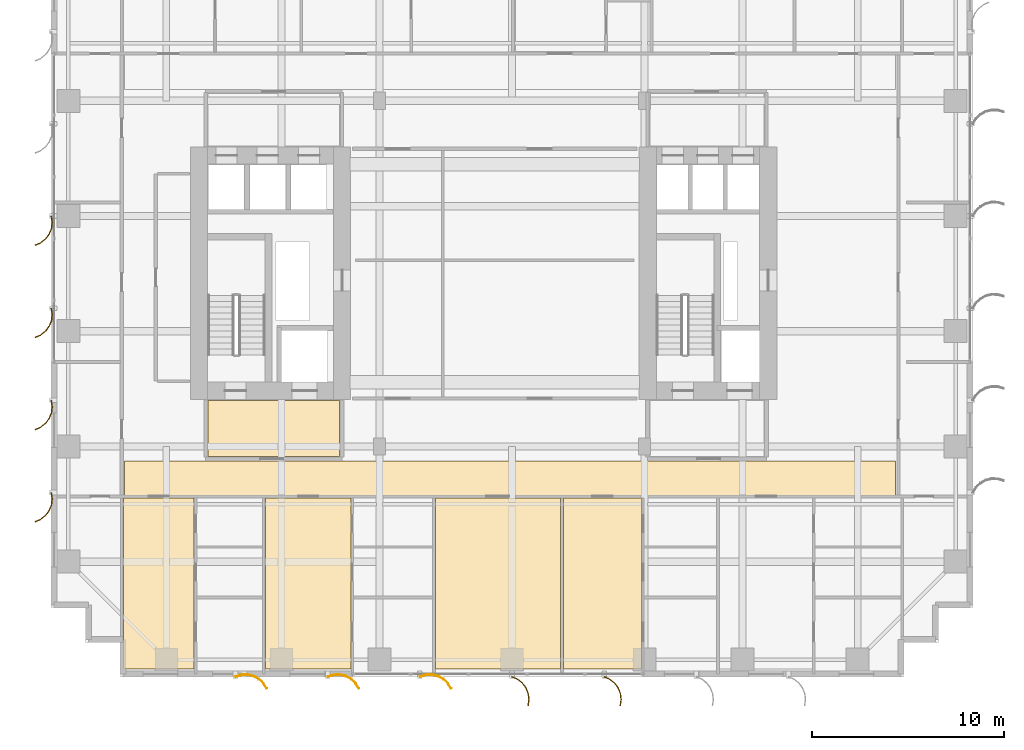
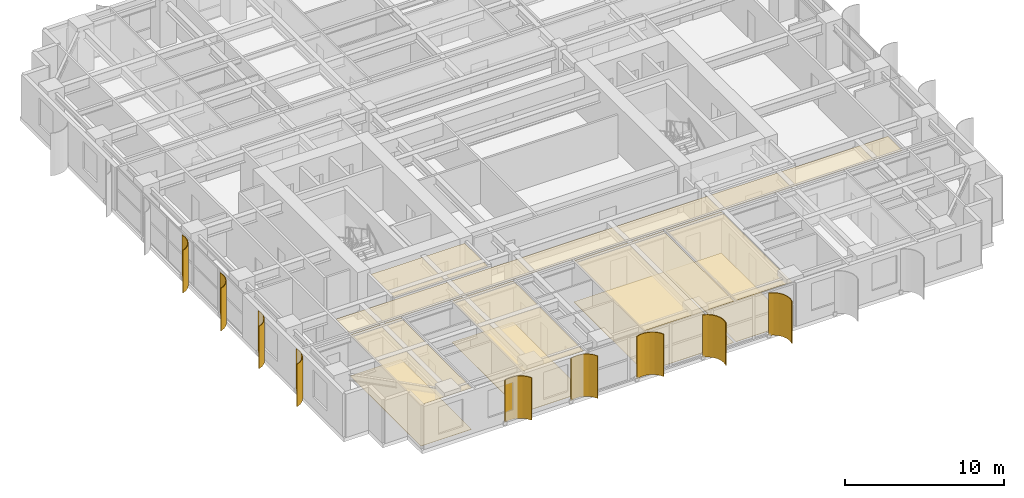
# One storey, part 21 of 24: 10 coverings, 9 shading devices.
"""IFC4 building model written with IfcOpenShell, lengths in metres."""

from ifc_helpers import new_model, si_unit, direction, frame, origin, place, context, subcontext, project, spatial, polyline, outline, extrude, source, transform, mapped, material, layer, layer_set, type_object, element, save


model = new_model("IFC4")

# Units and contexts
model_context = context("Model", 3, precision=1e-05, world=origin(), true_north=direction((0.0, 1.0)))
body_context = subcontext(model_context, "Body", "Model", "MODEL_VIEW")
ifc_project = project(units=[si_unit("LENGTHUNIT", "METRE"), si_unit("AREAUNIT", "SQUARE_METRE"), si_unit("VOLUMEUNIT", "CUBIC_METRE"), si_unit("PLANEANGLEUNIT", "RADIAN"), si_unit("MASSUNIT", "GRAM", prefix="KILO")], contexts=[model_context])

# Site, building, storey
site_placement = place(None, origin())
site = spatial("IfcSite", under=ifc_project, at=site_placement, CompositionType="ELEMENT")
building_placement = place(site_placement, origin())
building = spatial("IfcBuilding", under=site, at=building_placement, Name="Khoralis Quay Care Tower", CompositionType="ELEMENT")
storey_placement = place(building_placement, frame((0.0, 0.0, 40.5)))
storey = spatial("IfcBuildingStorey", under=building, at=storey_placement, Name="L10", CompositionType="ELEMENT", Elevation=40.5)

# Coverings
ifc_material_1 = material(Name="Mineral-fibre acoustic ceiling tile")
ifc_layer_1 = layer(ifc_material_1, 0.01806640625)
ifc_layer_set_1 = layer_set([ifc_layer_1], Name="Mineral-fibre acoustic ceiling tile")
covering_type_1 = type_object("IfcCoveringType", Name="COV-CEIL-AC18", PredefinedType="CEILING", material=ifc_layer_set_1)
covering_1_placement = place(storey_placement, frame((0.0, 0.0, 3.172119140625)))
element("IfcCovering", 1, at=covering_1_placement, inside=storey, type_object=covering_type_1, Name="Suspended Acoustic Ceiling SP-L10-FFLOB-W", PredefinedType="CEILING", context=body_context, shape_type="SweptSolid", body=[
    extrude(outline(polyline([(8.179931640625, 11.47998046875), (15.02001953125, 11.47998046875), (15.02001953125, 14.39990234375), (8.179931640625, 14.39990234375), (8.179931640625, 11.47998046875)])), origin(), (0.0, 0.0, 1.0), 0.017822265625),
])
covering_2_placement = place(storey_placement, frame((0.0, 0.0, 3.172119140625)))
element("IfcCovering", 2, at=covering_2_placement, inside=storey, type_object=covering_type_1, Name="Suspended Acoustic Ceiling SP-L10-CORR-S", PredefinedType="CEILING", context=body_context, shape_type="SweptSolid", body=[
    extrude(outline(polyline([(3.820068359375, 9.43994140625), (43.97998046875, 9.43994140625), (43.97998046875, 11.239990234375), (3.820068359375, 11.239990234375), (3.820068359375, 9.43994140625)])), origin(), (0.0, 0.0, 1.0), 0.017822265625),
])
covering_3_placement = place(storey_placement, frame((0.0, 0.0, 3.172119140625)))
element("IfcCovering", 3, at=covering_3_placement, inside=storey, type_object=covering_type_1, Name="Suspended Acoustic Ceiling SP-L10-SB-LIV0", PredefinedType="CEILING", context=body_context, shape_type="SweptSolid", body=[
    extrude(outline(polyline([(3.760009765625, 0.419921875), (7.447998046875, 0.419921875), (7.447998046875, 9.320068359375), (3.760009765625, 9.320068359375), (3.760009765625, 0.419921875)])), origin(), (0.0, 0.0, 1.0), 0.017822265625),
])
covering_4_placement = place(storey_placement, frame((0.0, 0.0, 3.172119140625)))
element("IfcCovering", 4, at=covering_4_placement, inside=storey, type_object=covering_type_1, Name="Suspended Acoustic Ceiling SP-L10-SB-LIV1", PredefinedType="CEILING", context=body_context, shape_type="SweptSolid", body=[
    extrude(outline(polyline([(11.159912109375, 0.419921875), (15.60693359375, 0.419921875), (15.60693359375, 9.320068359375), (11.159912109375, 9.320068359375), (11.159912109375, 0.419921875)])), origin(), (0.0, 0.0, 1.0), 0.017822265625),
])
covering_5_placement = place(storey_placement, frame((0.0, 0.0, 3.172119140625)))
element("IfcCovering", 5, at=covering_5_placement, inside=storey, type_object=covering_type_1, Name="Suspended Acoustic Ceiling SP-L10-SB-COM2", PredefinedType="CEILING", context=body_context, shape_type="SweptSolid", body=[
    extrude(outline(polyline([(20.02001953125, 0.419921875), (26.52001953125, 0.419921875), (26.52001953125, 9.320068359375), (20.02001953125, 9.320068359375), (20.02001953125, 0.419921875)])), origin(), (0.0, 0.0, 1.0), 0.017822265625),
])
covering_6_placement = place(storey_placement, frame((0.0, 0.0, 3.172119140625)))
element("IfcCovering", 6, at=covering_6_placement, inside=storey, type_object=covering_type_1, Name="Suspended Acoustic Ceiling SP-L10-SB-LIV3", PredefinedType="CEILING", context=body_context, shape_type="SweptSolid", body=[
    extrude(outline(polyline([(26.679931640625, 0.419921875), (30.748046875, 0.419921875), (30.748046875, 9.320068359375), (26.679931640625, 9.320068359375), (26.679931640625, 0.419921875)])), origin(), (0.0, 0.0, 1.0), 0.017822265625),
])
ifc_material_2 = material(Name="Porcelain and non-slip vinyl flooring")
ifc_layer_2 = layer(ifc_material_2, 0.02001953125)
ifc_layer_set_2 = layer_set([ifc_layer_2], Name="Porcelain and non-slip vinyl flooring")
covering_type_2 = type_object("IfcCoveringType", Name="COV-FLOOR-20", PredefinedType="FLOORING", material=ifc_layer_set_2)
covering_7_placement = place(storey_placement, origin())
element("IfcCovering", 7, at=covering_7_placement, inside=storey, type_object=covering_type_2, Name="Resilient Healthcare Flooring SP-L10-SB-LIV0", PredefinedType="FLOORING", context=body_context, shape_type="SweptSolid", body=[
    extrude(outline(polyline([(3.760009765625, 0.419921875), (7.447998046875, 0.419921875), (7.447998046875, 9.320068359375), (3.760009765625, 9.320068359375), (3.760009765625, 0.419921875)])), origin(), (0.0, 0.0, 1.0), 0.02001953125),
])
covering_8_placement = place(storey_placement, origin())
element("IfcCovering", 8, at=covering_8_placement, inside=storey, type_object=covering_type_2, Name="Resilient Healthcare Flooring SP-L10-SB-LIV1", PredefinedType="FLOORING", context=body_context, shape_type="SweptSolid", body=[
    extrude(outline(polyline([(11.159912109375, 0.419921875), (15.60693359375, 0.419921875), (15.60693359375, 9.320068359375), (11.159912109375, 9.320068359375), (11.159912109375, 0.419921875)])), origin(), (0.0, 0.0, 1.0), 0.02001953125),
])
covering_9_placement = place(storey_placement, origin())
element("IfcCovering", 9, at=covering_9_placement, inside=storey, type_object=covering_type_2, Name="Resilient Healthcare Flooring SP-L10-SB-COM2", PredefinedType="FLOORING", context=body_context, shape_type="SweptSolid", body=[
    extrude(outline(polyline([(20.02001953125, 0.419921875), (26.52001953125, 0.419921875), (26.52001953125, 9.320068359375), (20.02001953125, 9.320068359375), (20.02001953125, 0.419921875)])), origin(), (0.0, 0.0, 1.0), 0.02001953125),
])
covering_10_placement = place(storey_placement, origin())
element("IfcCovering", 10, at=covering_10_placement, inside=storey, type_object=covering_type_2, Name="Resilient Healthcare Flooring SP-L10-SB-LIV3", PredefinedType="FLOORING", context=body_context, shape_type="SweptSolid", body=[
    extrude(outline(polyline([(26.679931640625, 0.419921875), (30.748046875, 0.419921875), (30.748046875, 9.320068359375), (26.679931640625, 9.320068359375), (26.679931640625, 0.419921875)])), origin(), (0.0, 0.0, 1.0), 0.02001953125),
])

# Shading devices
ifc_material_3 = material(Name="Brushed pale anodised aluminium", Category="aluminium")
ifc_layer_3 = layer(ifc_material_3, 0.044921875)
ifc_layer_set_3 = layer_set([ifc_layer_3], Name="Brushed pale anodised aluminium")
shading_device_type = type_object("IfcShadingDeviceType", Name="SHD-FIN-1250", PredefinedType="USERDEFINED", material=ifc_layer_set_3)
shared_shape_1 = source(origin(), body_context, "Body", "SweptSolid", [
    extrude(outline(polyline([(0.0, 0.0), (0.130126953125, 0.29931640625), (0.333251953125, 0.5546875), (0.595458984375, 0.748779296875), (0.899169921875, 0.868408203125), (1.223388671875, 0.9052734375), (1.546142578125, 0.85693359375), (1.53369140625, 0.813720703125), (1.22265625, 0.8603515625), (0.91015625, 0.82470703125), (0.617431640625, 0.70947265625), (0.364501953125, 0.522216796875), (0.168701171875, 0.276123046875), (0.043212890625, -0.012451171875), (0.0, 0.0)])), origin(), (0.0, 0.0, 1.0), 3.260009765625),
])
for number, where, z_axis, x_axis, name in (
    (11, (24.0, 0.030029296875, 0.02001953125), (0.0, 0.0, 1.0), (0.0, -1.0, 0.0), "L10 Curved Solar Fin P1E0-04"),
    (12, (28.800048828125, 0.030029296875, 0.02001953125), (0.0, 0.0, 1.0), (0.0, -1.0, 0.0), "L10 Curved Solar Fin P1E0-05"),
):
    element("IfcShadingDevice", number, at=place(storey_placement, frame(where, z_axis=z_axis, x_axis=x_axis)), inside=storey, type_object=shading_device_type, Name=name, ObjectType="FIN", PredefinedType="USERDEFINED", context=body_context, shape_type="MappedRepresentation", body=[
        mapped(shared_shape_1, transform((0.0, 0.0, 0.0), scale=1.0)),
    ])
shared_shape_2 = source(origin(), body_context, "Body", "SweptSolid", [
    extrude(outline(polyline([(0.0, 0.0), (-0.04833984375, 0.32275390625), (-0.01123046875, 0.64697265625), (0.1083984375, 0.950439453125), (0.302490234375, 1.212890625), (0.557861328125, 1.416015625), (0.85693359375, 1.546142578125), (0.869384765625, 1.5029296875), (0.5810546875, 1.37744140625), (0.334716796875, 1.181640625), (0.147705078125, 0.9287109375), (0.032470703125, 0.635986328125), (-0.003173828125, 0.323486328125), (0.043212890625, 0.012451171875), (0.0, 0.0)])), origin(), (0.0, 0.0, 1.0), 3.260009765625),
])
for number, where, z_axis, x_axis, name in (
    (13, (0.030029296875, 24.0, 0.02001953125), (0.0, 0.0, 1.0), (-1.0, 0.0, 0.0), "L10 Curved Solar Fin P1E15-04"),
    (14, (0.030029296875, 19.199951171875, 0.02001953125), (0.0, 0.0, 1.0), (-1.0, 0.0, 0.0), "L10 Curved Solar Fin P1E15-05"),
    (15, (0.030029296875, 14.39990234375, 0.02001953125), (0.0, 0.0, 1.0), (-1.0, 0.0, 0.0), "L10 Curved Solar Fin P1E15-06"),
    (16, (0.030029296875, 9.60009765625, 0.02001953125), (0.0, 0.0, 1.0), (-1.0, 0.0, 0.0), "L10 Curved Solar Fin P1E15-07"),
):
    element("IfcShadingDevice", number, at=place(storey_placement, frame(where, z_axis=z_axis, x_axis=x_axis)), inside=storey, type_object=shading_device_type, Name=name, ObjectType="FIN", PredefinedType="USERDEFINED", context=body_context, shape_type="MappedRepresentation", body=[
        mapped(shared_shape_2, transform((0.0, 0.0, 0.0), scale=1.0)),
    ])
shared_shape_3 = source(origin(), body_context, "Body", "SweptSolid", [
    extrude(outline(polyline([(0.0, 0.0), (-0.0927734375, 0.31298828125), (-0.101318359375, 0.63916015625), (-0.025146484375, 0.956298828125), (0.130615234375, 1.2431640625), (0.355224609375, 1.479736328125), (0.633544921875, 1.650390625), (0.65185546875, 1.609130859375), (0.383544921875, 1.44482421875), (0.1669921875, 1.216796875), (0.01708984375, 0.940185546875), (-0.056396484375, 0.63427734375), (-0.04833984375, 0.31982421875), (0.041015625, 0.018310546875), (0.0, 0.0)])), origin(), (0.0, 0.0, 1.0), 3.260009765625),
])
for number, where, z_axis, x_axis, name in (
    (17, (9.60009765625, 0.030029296875, 0.02001953125), (0.0, 0.0, 1.0), (0.0, -1.0, 0.0), "L10 Curved Solar Fin P1E0-01"),
    (18, (14.39990234375, 0.030029296875, 0.02001953125), (0.0, 0.0, 1.0), (0.0, -1.0, 0.0), "L10 Curved Solar Fin P1E0-02"),
    (19, (19.199951171875, 0.030029296875, 0.02001953125), (0.0, 0.0, 1.0), (0.0, -1.0, 0.0), "L10 Curved Solar Fin P1E0-03"),
):
    element("IfcShadingDevice", number, at=place(storey_placement, frame(where, z_axis=z_axis, x_axis=x_axis)), inside=storey, type_object=shading_device_type, Name=name, ObjectType="FIN", PredefinedType="USERDEFINED", context=body_context, shape_type="MappedRepresentation", body=[
        mapped(shared_shape_3, transform((0.0, 0.0, 0.0), scale=1.0)),
    ])

save(model, "model.ifc")
